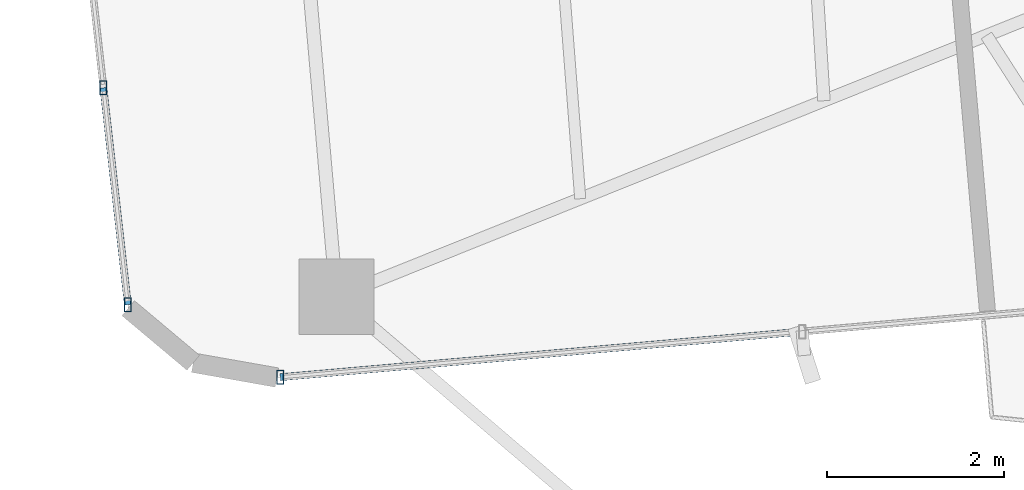
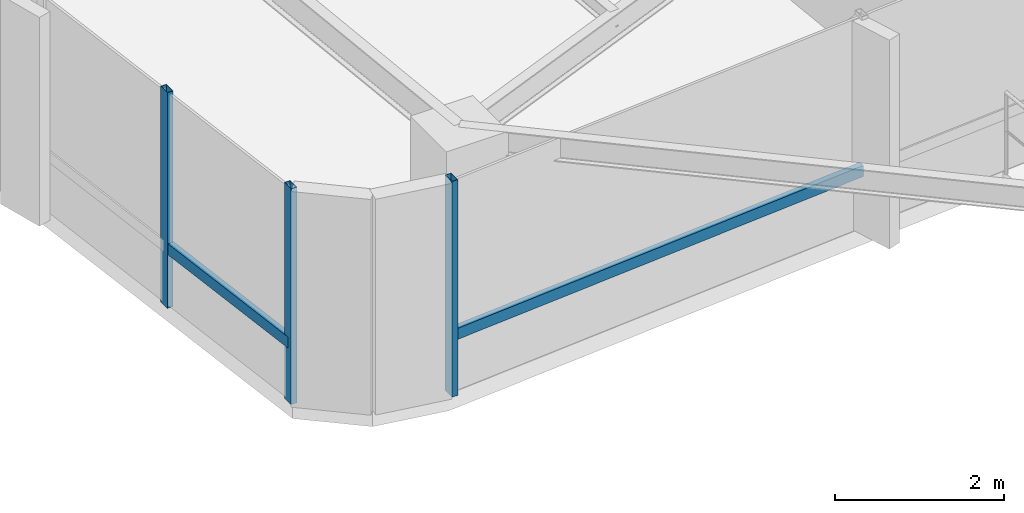
# One storey, part 3 of 24: 5 members, 2 elements without a shape of their own.
"""IFC4 building model written with IfcOpenShell, lengths in metres."""

import ifcopenshell
import ifcopenshell.guid

model = None  # the IFC model being written
_history = None  # IfcOwnerHistory: only IFC2X3 demands one
_inside = {}  # id of a spatial element -> (the spatial element, [elements in it])
_under = {}  # id of a project, library or spatial element -> (it, [spatial elements below it])
_declared = {}  # id of a project -> (the project, [libraries it declares])
_typed = {}  # id of a type object -> (the type object, [elements of that type])
_made_of = {}  # id of a material, layer set ... -> (it, [elements and type objects made of it])


def new_model(schema):
    """Start an empty IFC model of exactly this schema.

    Asked for "IFC4X3", IfcOpenShell would pick the latest addendum, in which some entities
    have other attributes; the version numbers below select the first issue.
    IFC2X3 requires an IfcOwnerHistory on every rooted entity: one is made here for all.
    """
    global model, _history
    if schema == "IFC4X3":
        model = ifcopenshell.file(schema_version=(4, 3, 0, 0))
    else:
        model = ifcopenshell.file(schema=schema)
    _inside.clear()
    _under.clear()
    _declared.clear()
    _typed.clear()
    _made_of.clear()
    _history = None
    if model.schema == "IFC2X3":
        org = make("IfcOrganization", Name="unknown")
        user = make(
            "IfcPersonAndOrganization",
            ThePerson=make("IfcPerson", FamilyName="unknown"),
            TheOrganization=org,
        )
        app = make(
            "IfcApplication",
            ApplicationDeveloper=org,
            Version="unknown",
            ApplicationFullName="unknown",
            ApplicationIdentifier="unknown",
        )
        _history = make(
            "IfcOwnerHistory",
            OwningUser=user,
            OwningApplication=app,
            ChangeAction="ADDED",
            CreationDate=0,
        )
    return model


def make(cls, **values):
    """One entity of the class cls with the attributes given. An attribute that is None is left unset."""
    return model.create_entity(
        cls, **{name: value for name, value in values.items() if value is not None}
    )


def rooted(cls, **values):
    """An entity with a GlobalId (a new one), such as an element, a storey or a relation."""
    return make(cls, GlobalId=ifcopenshell.guid.new(), OwnerHistory=_history, **values)


def si_unit(unit_type, name, prefix=None):
    """IfcSIUnit, for example si_unit("LENGTHUNIT", "METRE", prefix="MILLI")."""
    return make("IfcSIUnit", UnitType=unit_type, Prefix=prefix, Name=name)


def assignment(units):
    """IfcUnitAssignment: the units of a project."""
    return None if units is None else make("IfcUnitAssignment", Units=units)


def point(xyz):
    """IfcCartesianPoint."""
    return None if xyz is None else make("IfcCartesianPoint", Coordinates=xyz)


def direction(xyz):
    """IfcDirection."""
    return None if xyz is None else make("IfcDirection", DirectionRatios=xyz)


def frame(location, z_axis=None, x_axis=None):
    """IfcAxis2Placement3D, a coordinate frame: its origin and axes. An axis left out is left unset."""
    return make(
        "IfcAxis2Placement3D",
        Location=point(location),
        Axis=direction(z_axis),
        RefDirection=direction(x_axis),
    )


def frame_2d(location, x_axis=None):
    """IfcAxis2Placement2D, a coordinate frame in the plane: its origin and x axis."""
    return make(
        "IfcAxis2Placement2D", Location=point(location), RefDirection=direction(x_axis)
    )


def origin():
    """The frame at (0, 0, 0) with its axes left unset."""
    return frame((0.0, 0.0, 0.0))


def origin_2d():
    """The frame at (0, 0) in the plane with its x axis left unset."""
    return frame_2d((0.0, 0.0))


def place(relative_to, where):
    """IfcLocalPlacement: puts the frame where relative to a parent placement (None: the world)."""
    return make(
        "IfcLocalPlacement", PlacementRelTo=relative_to, RelativePlacement=where
    )


def context(
    kind, dimensions, precision=None, world=None, true_north=None, identifier=None
):
    """IfcGeometricRepresentationContext, for example the 3D "Model" context."""
    return make(
        "IfcGeometricRepresentationContext",
        ContextIdentifier=identifier,
        ContextType=kind,
        CoordinateSpaceDimension=dimensions,
        Precision=precision,
        WorldCoordinateSystem=world,
        TrueNorth=true_north,
    )


def subcontext(parent, identifier, kind, view, scale=None):
    """IfcGeometricRepresentationSubContext, for example "Body" below "Model"."""
    return make(
        "IfcGeometricRepresentationSubContext",
        ContextIdentifier=identifier,
        ContextType=kind,
        ParentContext=parent,
        TargetScale=scale,
        TargetView=view,
    )


def project(units=None, contexts=None):
    """IfcProject with its units and contexts."""
    return rooted(
        "IfcProject",
        Name="project",
        RepresentationContexts=contexts,
        UnitsInContext=assignment(units),
    )


def spatial(cls, under=None, at=None, **own):
    """A site, building, storey or space (cls), placed at a placement, below another one or the project."""
    s = rooted(cls, ObjectPlacement=at, **own)
    if under is not None:
        _under.setdefault(under.id(), (under, []))[1].append(s)
    return s


def profile(cls, at=None, kind="AREA", **sizes):
    """A parametric profile (cls). Its sizes go by their IFC names, for example OverallWidth=200.0."""
    return make(cls, ProfileType=kind, Position=at, **sizes)


def hollow_rectangle(**sizes):
    """IfcRectangleHollowProfileDef."""
    return profile("IfcRectangleHollowProfileDef", **sizes)


def extrude(swept, where, along, depth):
    """IfcExtrudedAreaSolid: the profile swept, set in the frame where, extruded along a direction by depth."""
    return make(
        "IfcExtrudedAreaSolid",
        SweptArea=swept,
        Position=where,
        ExtrudedDirection=direction(along),
        Depth=depth,
    )


def shape(context_of_items, identifier, shape_type, items):
    """IfcShapeRepresentation: the items that make up one representation, for example the "Body"."""
    return make(
        "IfcShapeRepresentation",
        ContextOfItems=context_of_items,
        RepresentationIdentifier=identifier,
        RepresentationType=shape_type,
        Items=items,
    )


def source(mapping_origin, context_of_items, identifier, shape_type, items):
    """IfcRepresentationMap: a shape defined once, which mapped items show again and again."""
    return make(
        "IfcRepresentationMap",
        MappingOrigin=mapping_origin,
        MappedRepresentation=shape(context_of_items, identifier, shape_type, items),
    )


def transform(
    local_origin,
    x_axis=None,
    y_axis=None,
    z_axis=None,
    scale=None,
    scale2=None,
    scale3=None,
    uniform=True,
):
    """IfcCartesianTransformationOperator3D, or its non-uniform kind. x_axis, y_axis, z_axis: its Axis1, 2, 3."""
    if uniform:
        return make(
            "IfcCartesianTransformationOperator3D",
            Axis1=direction(x_axis),
            Axis2=direction(y_axis),
            LocalOrigin=point(local_origin),
            Scale=scale,
            Axis3=direction(z_axis),
        )
    return make(
        "IfcCartesianTransformationOperator3DnonUniform",
        Axis1=direction(x_axis),
        Axis2=direction(y_axis),
        LocalOrigin=point(local_origin),
        Scale=scale,
        Axis3=direction(z_axis),
        Scale2=scale2,
        Scale3=scale3,
    )


def mapped(mapping_source, mapping_target):
    """IfcMappedItem: shows the shape of a source again, moved by a transform."""
    return make(
        "IfcMappedItem", MappingSource=mapping_source, MappingTarget=mapping_target
    )


def material(Name=None, Category=None):
    """IfcMaterial."""
    return make("IfcMaterial", Name=Name, Category=Category)


def material_profile(
    of_material, cross_section, Name=None, Category=None, Priority=None
):
    """IfcMaterialProfile: a cross section and its material."""
    return make(
        "IfcMaterialProfile",
        Name=Name,
        Material=of_material,
        Profile=cross_section,
        Priority=Priority,
        Category=Category,
    )


def profile_set(profiles, Name=None, composite=None):
    """IfcMaterialProfileSet."""
    return make(
        "IfcMaterialProfileSet",
        Name=Name,
        MaterialProfiles=profiles,
        CompositeProfile=composite,
    )


def made_of(thing, what):
    """Note that an element or type object is made of a material, layer set ...; save() writes the relation."""
    if what is not None:
        _made_of.setdefault(what.id(), (what, []))[1].append(thing)
    return thing


def type_object(cls, material=None, **own):
    """A type object (cls), such as IfcWallType, which elements share."""
    return made_of(rooted(cls, **own), material)


def element(
    cls,
    number,
    at=None,
    inside=None,
    cuts=None,
    type_object=None,
    material=None,
    context=None,
    identifier="Body",
    shape_type=None,
    held_by="IfcProductDefinitionShape",
    body=None,
    shapes=None,
    **own,
):
    """One element of the class cls, such as IfcWall. Its Tag is "e" and its number.

    at: its placement. inside: the storey or other place that contains it. cuts: it is an
    opening in that element (IfcRelVoidsElement). A single representation is given by context,
    identifier, shape_type and body (its items); several are given by shapes. held_by: the class
    of the entity that holds the representations. save() writes the other relations.
    """
    e = rooted(cls, Tag="e%d" % number, ObjectPlacement=at, **own)
    if body is not None:
        shapes = [shape(context, identifier, shape_type, body)]
    if shapes is not None:
        e.Representation = make(held_by, Representations=shapes)
    if inside is not None:
        _inside.setdefault(inside.id(), (inside, []))[1].append(e)
    if cuts is not None:
        rooted(
            "IfcRelVoidsElement", RelatingBuildingElement=cuts, RelatedOpeningElement=e
        )
    if type_object is not None:
        _typed.setdefault(type_object.id(), (type_object, []))[1].append(e)
    return made_of(e, material)


def aggregate(whole, parts):
    """IfcRelAggregates: a whole, such as a stair, and the parts it consists of."""
    return rooted("IfcRelAggregates", RelatingObject=whole, RelatedObjects=parts)


def save(model, path):
    """Write the relations noted so far, then the file.

    IfcRelAggregates (storeys below a building ...), IfcRelContainedInSpatialStructure (elements
    in a storey), IfcRelDefinesByType, IfcRelAssociatesMaterial and IfcRelDeclares: one each for
    every whole, place, type object, material and project.
    """
    for whole, parts in _under.values():
        aggregate(whole, parts)
    for where, things in _inside.values():
        rooted(
            "IfcRelContainedInSpatialStructure",
            RelatedElements=things,
            RelatingStructure=where,
        )
    for kind, things in _typed.values():
        rooted("IfcRelDefinesByType", RelatedObjects=things, RelatingType=kind)
    for what, things in _made_of.values():
        rooted("IfcRelAssociatesMaterial", RelatedObjects=things, RelatingMaterial=what)
    for by, libraries in _declared.values():
        rooted("IfcRelDeclares", RelatingContext=by, RelatedDefinitions=libraries)
    model.write(path)


model = new_model("IFC4")

# Units and contexts
model_context = context("Model", 3, precision=1e-05, world=origin(), true_north=direction((0.0, 1.0)))
body_context = subcontext(model_context, "Body", "Model", "MODEL_VIEW")
ifc_project = project(units=[si_unit("LENGTHUNIT", "METRE"), si_unit("AREAUNIT", "SQUARE_METRE"), si_unit("VOLUMEUNIT", "CUBIC_METRE"), si_unit("PLANEANGLEUNIT", "RADIAN"), si_unit("MASSUNIT", "GRAM", prefix="KILO")], contexts=[model_context])

# Site, building, storey
site_placement = place(None, origin())
site = spatial("IfcSite", under=ifc_project, at=site_placement, CompositionType="ELEMENT")
building_placement = place(site_placement, origin())
building = spatial("IfcBuilding", under=site, at=building_placement, Name="Sahyath Konkavel Grand Hotel", CompositionType="ELEMENT")
storey_placement = place(building_placement, frame((0.0, 0.0, 157.300048828125)))
storey = spatial("IfcBuildingStorey", under=building, at=storey_placement, Name="L43", CompositionType="ELEMENT", Elevation=157.300048828125)

# Curtain wall, members
ifc_material_1 = material(Name="Anodised Bronze Aluminium & Low-E Glazing", Category="aluminium")
curtain_wall_type = type_object("IfcCurtainWallType", Name="CW-ZONE3", PredefinedType="NOTDEFINED", material=ifc_material_1)
curtain_wall_1_placement = place(storey_placement, origin())
curtain_wall_1 = element("IfcCurtainWall", 1, at=curtain_wall_1_placement, inside=storey, type_object=curtain_wall_type, Name="L43 Unitised Curtain Wall F20", PredefinedType="NOTDEFINED")
ifc_material_2 = material(Name="Anodised Bronze Aluminium", Category="aluminium")
ifc_material_profile_1 = material_profile(ifc_material_2, hollow_rectangle(XDim=0.080078125, YDim=0.159912109375, WallThickness=0.006103515625, at=origin_2d()), Name="RHS 160x80x6")
ifc_profile_set_1 = profile_set([ifc_material_profile_1], Name="Anodised Bronze Aluminium")
member_type_1 = type_object("IfcMemberType", Name="CW-MUL-160", PredefinedType="MULLION", material=ifc_profile_set_1)
shared_shape_1 = source(origin(), body_context, "Body", "SweptSolid", [
    extrude(hollow_rectangle(XDim=0.080078125, YDim=0.159912109375, WallThickness=0.006103515625, at=origin_2d()), origin(), (0.0, 0.0, 1.0), 3.10986328125),
])
member_1_placement = place(storey_placement, frame((-19.583984375, -4.648193359375, 0.0), z_axis=(0.0, 0.0, 1.0), x_axis=(1.0, 0.0, 0.0)))
member_1 = element("IfcMember", 2, at=member_1_placement, type_object=member_type_1, Name="L43 Curtain Wall Mullion F20-3", PredefinedType="MULLION", context=body_context, shape_type="MappedRepresentation", body=[
    mapped(shared_shape_1, transform((0.0, 0.0, 0.0), scale=1.0)),
])
member_2_placement = place(storey_placement, frame((-19.308349609375, -7.094970703125, 0.0), z_axis=(0.0, 0.0, 1.0), x_axis=(1.0, 0.0, 0.0)))
member_2 = element("IfcMember", 3, at=member_2_placement, type_object=member_type_1, Name="L43 Curtain Wall Mullion F20-4", PredefinedType="MULLION", context=body_context, shape_type="MappedRepresentation", body=[
    mapped(shared_shape_1, transform((0.0, 0.0, 0.0), scale=1.0)),
])

# Curtain wall, member
curtain_wall_2_placement = place(storey_placement, origin())
curtain_wall_2 = element("IfcCurtainWall", 4, at=curtain_wall_2_placement, inside=storey, type_object=curtain_wall_type, Name="L43 Unitised Curtain Wall F23", PredefinedType="NOTDEFINED")
member_3_placement = place(storey_placement, frame((-17.58740234375, -7.912841796875, 0.0), z_axis=(0.0, 0.0, 1.0), x_axis=(1.0, 0.0, 0.0)))
member_3 = element("IfcMember", 5, at=member_3_placement, type_object=member_type_1, Name="L43 Curtain Wall Mullion F23-0", PredefinedType="MULLION", context=body_context, shape_type="MappedRepresentation", body=[
    mapped(shared_shape_1, transform((0.0, 0.0, 0.0), scale=1.0)),
])

# Member
ifc_material_profile_2 = material_profile(ifc_material_2, hollow_rectangle(XDim=0.080078125, YDim=0.159912109375, WallThickness=0.006103515625, at=origin_2d()), Name="RHS 160x80x6")
ifc_profile_set_2 = profile_set([ifc_material_profile_2], Name="Anodised Bronze Aluminium")
member_type_2 = type_object("IfcMemberType", Name="CW-TRN-160", PredefinedType="USERDEFINED", material=ifc_profile_set_2)
shared_shape_2 = source(origin(), body_context, "Body", "SweptSolid", [
    extrude(hollow_rectangle(XDim=0.080078125, YDim=0.159912109375, WallThickness=0.006103515625, at=origin_2d()), origin(), (0.0, 0.0, 1.0), 2.462158203125),
])
member_4_placement = place(storey_placement, frame((-19.583984375, -4.648193359375, 0.849853515625), z_axis=(0.11194409079, -0.993714506555, 0.0), x_axis=(0.993714506555, 0.11194409079, 0.0)))
member_4 = element("IfcMember", 6, at=member_4_placement, type_object=member_type_2, Name="L43 Curtain Wall Transom F20-3-spandrel", ObjectType="TRANSOM", PredefinedType="USERDEFINED", context=body_context, shape_type="MappedRepresentation", body=[
    mapped(shared_shape_2, transform((0.0, 0.0, 0.0), scale=1.0)),
])

aggregate(curtain_wall_1, [member_1, member_2, member_4])

shared_shape_3 = source(origin(), body_context, "Body", "SweptSolid", [
    extrude(hollow_rectangle(XDim=0.080078125, YDim=0.159912109375, WallThickness=0.006103515625, at=origin_2d()), origin(), (0.0, 0.0, 1.0), 5.91015625),
])
member_5_placement = place(storey_placement, frame((-17.58740234375, -7.912841796875, 0.849853515625), z_axis=(0.996197841474, 0.087119806256, 0.0), x_axis=(-0.087119806256, 0.996197841474, 0.0)))
member_5 = element("IfcMember", 7, at=member_5_placement, type_object=member_type_2, Name="L43 Curtain Wall Transom F23-0-spandrel", ObjectType="TRANSOM", PredefinedType="USERDEFINED", context=body_context, shape_type="MappedRepresentation", body=[
    mapped(shared_shape_3, transform((0.0, 0.0, 0.0), scale=1.0)),
])

aggregate(curtain_wall_2, [member_3, member_5])

save(model, "model.ifc")
